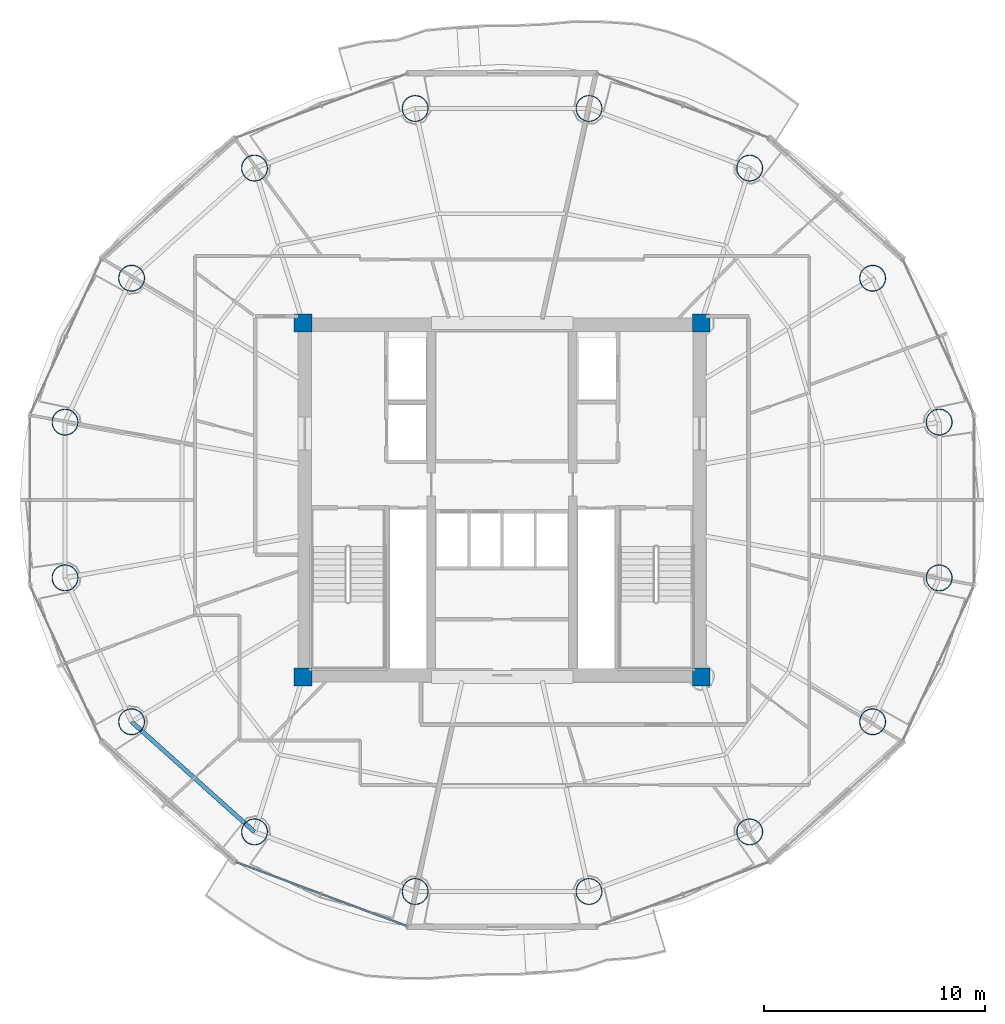
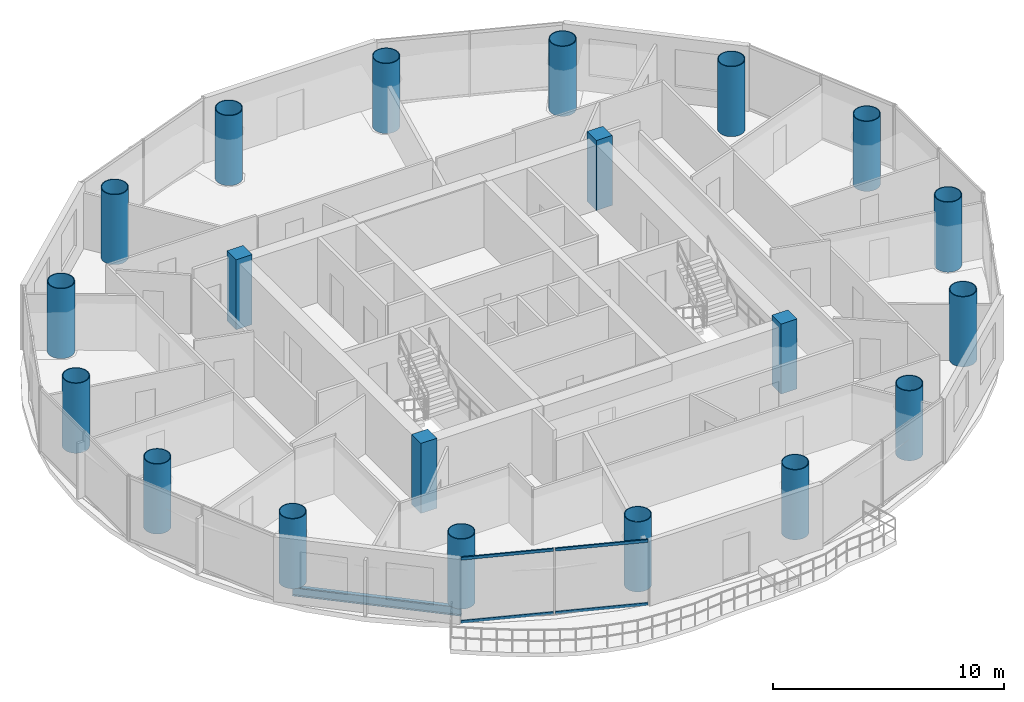
# One storey, part 1 of 26: 20 columns, 4 members, 1 beam, 1 element without a shape of its own.
"""IFC4 building model written with IfcOpenShell, lengths in metres."""

import ifcopenshell
import ifcopenshell.guid

model = None  # the IFC model being written
_history = None  # IfcOwnerHistory: only IFC2X3 demands one
_inside = {}  # id of a spatial element -> (the spatial element, [elements in it])
_under = {}  # id of a project, library or spatial element -> (it, [spatial elements below it])
_declared = {}  # id of a project -> (the project, [libraries it declares])
_typed = {}  # id of a type object -> (the type object, [elements of that type])
_made_of = {}  # id of a material, layer set ... -> (it, [elements and type objects made of it])


def new_model(schema):
    """Start an empty IFC model of exactly this schema.

    Asked for "IFC4X3", IfcOpenShell would pick the latest addendum, in which some entities
    have other attributes; the version numbers below select the first issue.
    IFC2X3 requires an IfcOwnerHistory on every rooted entity: one is made here for all.
    """
    global model, _history
    if schema == "IFC4X3":
        model = ifcopenshell.file(schema_version=(4, 3, 0, 0))
    else:
        model = ifcopenshell.file(schema=schema)
    _inside.clear()
    _under.clear()
    _declared.clear()
    _typed.clear()
    _made_of.clear()
    _history = None
    if model.schema == "IFC2X3":
        org = make("IfcOrganization", Name="unknown")
        user = make(
            "IfcPersonAndOrganization",
            ThePerson=make("IfcPerson", FamilyName="unknown"),
            TheOrganization=org,
        )
        app = make(
            "IfcApplication",
            ApplicationDeveloper=org,
            Version="unknown",
            ApplicationFullName="unknown",
            ApplicationIdentifier="unknown",
        )
        _history = make(
            "IfcOwnerHistory",
            OwningUser=user,
            OwningApplication=app,
            ChangeAction="ADDED",
            CreationDate=0,
        )
    return model


def make(cls, **values):
    """One entity of the class cls with the attributes given. An attribute that is None is left unset."""
    return model.create_entity(
        cls, **{name: value for name, value in values.items() if value is not None}
    )


def rooted(cls, **values):
    """An entity with a GlobalId (a new one), such as an element, a storey or a relation."""
    return make(cls, GlobalId=ifcopenshell.guid.new(), OwnerHistory=_history, **values)


def si_unit(unit_type, name, prefix=None):
    """IfcSIUnit, for example si_unit("LENGTHUNIT", "METRE", prefix="MILLI")."""
    return make("IfcSIUnit", UnitType=unit_type, Prefix=prefix, Name=name)


def assignment(units):
    """IfcUnitAssignment: the units of a project."""
    return None if units is None else make("IfcUnitAssignment", Units=units)


def point(xyz):
    """IfcCartesianPoint."""
    return None if xyz is None else make("IfcCartesianPoint", Coordinates=xyz)


def direction(xyz):
    """IfcDirection."""
    return None if xyz is None else make("IfcDirection", DirectionRatios=xyz)


def frame(location, z_axis=None, x_axis=None):
    """IfcAxis2Placement3D, a coordinate frame: its origin and axes. An axis left out is left unset."""
    return make(
        "IfcAxis2Placement3D",
        Location=point(location),
        Axis=direction(z_axis),
        RefDirection=direction(x_axis),
    )


def frame_2d(location, x_axis=None):
    """IfcAxis2Placement2D, a coordinate frame in the plane: its origin and x axis."""
    return make(
        "IfcAxis2Placement2D", Location=point(location), RefDirection=direction(x_axis)
    )


def origin():
    """The frame at (0, 0, 0) with its axes left unset."""
    return frame((0.0, 0.0, 0.0))


def origin_2d():
    """The frame at (0, 0) in the plane with its x axis left unset."""
    return frame_2d((0.0, 0.0))


def place(relative_to, where):
    """IfcLocalPlacement: puts the frame where relative to a parent placement (None: the world)."""
    return make(
        "IfcLocalPlacement", PlacementRelTo=relative_to, RelativePlacement=where
    )


def context(
    kind, dimensions, precision=None, world=None, true_north=None, identifier=None
):
    """IfcGeometricRepresentationContext, for example the 3D "Model" context."""
    return make(
        "IfcGeometricRepresentationContext",
        ContextIdentifier=identifier,
        ContextType=kind,
        CoordinateSpaceDimension=dimensions,
        Precision=precision,
        WorldCoordinateSystem=world,
        TrueNorth=true_north,
    )


def subcontext(parent, identifier, kind, view, scale=None):
    """IfcGeometricRepresentationSubContext, for example "Body" below "Model"."""
    return make(
        "IfcGeometricRepresentationSubContext",
        ContextIdentifier=identifier,
        ContextType=kind,
        ParentContext=parent,
        TargetScale=scale,
        TargetView=view,
    )


def project(units=None, contexts=None):
    """IfcProject with its units and contexts."""
    return rooted(
        "IfcProject",
        Name="project",
        RepresentationContexts=contexts,
        UnitsInContext=assignment(units),
    )


def spatial(cls, under=None, at=None, **own):
    """A site, building, storey or space (cls), placed at a placement, below another one or the project."""
    s = rooted(cls, ObjectPlacement=at, **own)
    if under is not None:
        _under.setdefault(under.id(), (under, []))[1].append(s)
    return s


def profile(cls, at=None, kind="AREA", **sizes):
    """A parametric profile (cls). Its sizes go by their IFC names, for example OverallWidth=200.0."""
    return make(cls, ProfileType=kind, Position=at, **sizes)


def rectangle(**sizes):
    """IfcRectangleProfileDef."""
    return profile("IfcRectangleProfileDef", **sizes)


def hollow_rectangle(**sizes):
    """IfcRectangleHollowProfileDef."""
    return profile("IfcRectangleHollowProfileDef", **sizes)


def hollow_circle(**sizes):
    """IfcCircleHollowProfileDef."""
    return profile("IfcCircleHollowProfileDef", **sizes)


def i_section(**sizes):
    """IfcIShapeProfileDef."""
    return profile("IfcIShapeProfileDef", **sizes)


def extrude(swept, where, along, depth):
    """IfcExtrudedAreaSolid: the profile swept, set in the frame where, extruded along a direction by depth."""
    return make(
        "IfcExtrudedAreaSolid",
        SweptArea=swept,
        Position=where,
        ExtrudedDirection=direction(along),
        Depth=depth,
    )


def shape(context_of_items, identifier, shape_type, items):
    """IfcShapeRepresentation: the items that make up one representation, for example the "Body"."""
    return make(
        "IfcShapeRepresentation",
        ContextOfItems=context_of_items,
        RepresentationIdentifier=identifier,
        RepresentationType=shape_type,
        Items=items,
    )


def source(mapping_origin, context_of_items, identifier, shape_type, items):
    """IfcRepresentationMap: a shape defined once, which mapped items show again and again."""
    return make(
        "IfcRepresentationMap",
        MappingOrigin=mapping_origin,
        MappedRepresentation=shape(context_of_items, identifier, shape_type, items),
    )


def transform(
    local_origin,
    x_axis=None,
    y_axis=None,
    z_axis=None,
    scale=None,
    scale2=None,
    scale3=None,
    uniform=True,
):
    """IfcCartesianTransformationOperator3D, or its non-uniform kind. x_axis, y_axis, z_axis: its Axis1, 2, 3."""
    if uniform:
        return make(
            "IfcCartesianTransformationOperator3D",
            Axis1=direction(x_axis),
            Axis2=direction(y_axis),
            LocalOrigin=point(local_origin),
            Scale=scale,
            Axis3=direction(z_axis),
        )
    return make(
        "IfcCartesianTransformationOperator3DnonUniform",
        Axis1=direction(x_axis),
        Axis2=direction(y_axis),
        LocalOrigin=point(local_origin),
        Scale=scale,
        Axis3=direction(z_axis),
        Scale2=scale2,
        Scale3=scale3,
    )


def mapped(mapping_source, mapping_target):
    """IfcMappedItem: shows the shape of a source again, moved by a transform."""
    return make(
        "IfcMappedItem", MappingSource=mapping_source, MappingTarget=mapping_target
    )


def material(Name=None, Category=None):
    """IfcMaterial."""
    return make("IfcMaterial", Name=Name, Category=Category)


def material_profile(
    of_material, cross_section, Name=None, Category=None, Priority=None
):
    """IfcMaterialProfile: a cross section and its material."""
    return make(
        "IfcMaterialProfile",
        Name=Name,
        Material=of_material,
        Profile=cross_section,
        Priority=Priority,
        Category=Category,
    )


def profile_set(profiles, Name=None, composite=None):
    """IfcMaterialProfileSet."""
    return make(
        "IfcMaterialProfileSet",
        Name=Name,
        MaterialProfiles=profiles,
        CompositeProfile=composite,
    )


def made_of(thing, what):
    """Note that an element or type object is made of a material, layer set ...; save() writes the relation."""
    if what is not None:
        _made_of.setdefault(what.id(), (what, []))[1].append(thing)
    return thing


def type_object(cls, material=None, **own):
    """A type object (cls), such as IfcWallType, which elements share."""
    return made_of(rooted(cls, **own), material)


def element(
    cls,
    number,
    at=None,
    inside=None,
    cuts=None,
    type_object=None,
    material=None,
    context=None,
    identifier="Body",
    shape_type=None,
    held_by="IfcProductDefinitionShape",
    body=None,
    shapes=None,
    **own,
):
    """One element of the class cls, such as IfcWall. Its Tag is "e" and its number.

    at: its placement. inside: the storey or other place that contains it. cuts: it is an
    opening in that element (IfcRelVoidsElement). A single representation is given by context,
    identifier, shape_type and body (its items); several are given by shapes. held_by: the class
    of the entity that holds the representations. save() writes the other relations.
    """
    e = rooted(cls, Tag="e%d" % number, ObjectPlacement=at, **own)
    if body is not None:
        shapes = [shape(context, identifier, shape_type, body)]
    if shapes is not None:
        e.Representation = make(held_by, Representations=shapes)
    if inside is not None:
        _inside.setdefault(inside.id(), (inside, []))[1].append(e)
    if cuts is not None:
        rooted(
            "IfcRelVoidsElement", RelatingBuildingElement=cuts, RelatedOpeningElement=e
        )
    if type_object is not None:
        _typed.setdefault(type_object.id(), (type_object, []))[1].append(e)
    return made_of(e, material)


def aggregate(whole, parts):
    """IfcRelAggregates: a whole, such as a stair, and the parts it consists of."""
    return rooted("IfcRelAggregates", RelatingObject=whole, RelatedObjects=parts)


def save(model, path):
    """Write the relations noted so far, then the file.

    IfcRelAggregates (storeys below a building ...), IfcRelContainedInSpatialStructure (elements
    in a storey), IfcRelDefinesByType, IfcRelAssociatesMaterial and IfcRelDeclares: one each for
    every whole, place, type object, material and project.
    """
    for whole, parts in _under.values():
        aggregate(whole, parts)
    for where, things in _inside.values():
        rooted(
            "IfcRelContainedInSpatialStructure",
            RelatedElements=things,
            RelatingStructure=where,
        )
    for kind, things in _typed.values():
        rooted("IfcRelDefinesByType", RelatedObjects=things, RelatingType=kind)
    for what, things in _made_of.values():
        rooted("IfcRelAssociatesMaterial", RelatedObjects=things, RelatingMaterial=what)
    for by, libraries in _declared.values():
        rooted("IfcRelDeclares", RelatingContext=by, RelatedDefinitions=libraries)
    model.write(path)


model = new_model("IFC4")

# Units and contexts
model_context = context("Model", 3, precision=1e-05, world=origin(), true_north=direction((-0.2419218956, 0.970295726276)))
body_context = subcontext(model_context, "Body", "Model", "MODEL_VIEW")
ifc_project = project(units=[si_unit("LENGTHUNIT", "METRE"), si_unit("AREAUNIT", "SQUARE_METRE"), si_unit("VOLUMEUNIT", "CUBIC_METRE"), si_unit("PLANEANGLEUNIT", "RADIAN"), si_unit("MASSUNIT", "GRAM", prefix="KILO")], contexts=[model_context])

# Site, building, storey
site_placement = place(None, origin())
site = spatial("IfcSite", under=ifc_project, at=site_placement, CompositionType="ELEMENT")
building_placement = place(site_placement, origin())
building = spatial("IfcBuilding", under=site, at=building_placement, Name="Cobrevalo Terracotta Tower", CompositionType="ELEMENT")
storey_placement = place(building_placement, frame((0.0, 0.0, 228.199951171875)))
storey = spatial("IfcBuildingStorey", under=building, at=storey_placement, Name="L60", CompositionType="ELEMENT", Elevation=228.199951171875)

# Columns
ifc_material_1 = material(Name="Steel S355", Category="steel")
ifc_material_profile_1 = material_profile(ifc_material_1, hollow_circle(Radius=0.60009765625, WallThickness=0.0380859375, at=origin_2d()), Name="CHS 1200x38")
ifc_profile_set_1 = profile_set([ifc_material_profile_1], Name="Steel S355")
column_type_1 = type_object("IfcColumnType", Name="Structural Column CHS 1200x38 (Steel S355)", PredefinedType="COLUMN", material=ifc_profile_set_1)
for number, where, z_axis, x_axis, name in (
    (1, (57.762939453125, 30.3212890625, 0.0), (0.0, 0.0, 1.0), (1.0, 0.0, 0.0), "L60 composite megacolumn MC01"),
    (2, (54.754150390625, 36.828125, 0.0), (0.0, 0.0, 1.0), (1.0, 0.0, 0.0), "L60 composite megacolumn MC02"),
    (3, (49.19482421875, 41.80810546875, 0.0), (0.0, 0.0, 1.0), (1.0, 0.0, 0.0), "L60 composite megacolumn MC03"),
    (4, (41.93115234375, 44.503173828125, 0.0), (0.0, 0.0, 1.0), (1.0, 0.0, 0.0), "L60 composite megacolumn MC04"),
    (5, (34.06884765625, 44.503173828125, 0.0), (0.0, 0.0, 1.0), (1.0, 0.0, 0.0), "L60 composite megacolumn MC05"),
    (6, (26.80517578125, 41.80810546875, 0.0), (0.0, 0.0, 1.0), (1.0, 0.0, 0.0), "L60 composite megacolumn MC06"),
    (7, (21.245849609375, 36.828125, 0.0), (0.0, 0.0, 1.0), (1.0, 0.0, 0.0), "L60 composite megacolumn MC07"),
    (8, (18.237060546875, 30.3212890625, 0.0), (0.0, 0.0, 1.0), (1.0, 0.0, 0.0), "L60 composite megacolumn MC08"),
    (9, (18.237060546875, 23.278564453125, 0.0), (0.0, 0.0, 1.0), (1.0, 0.0, 0.0), "L60 composite megacolumn MC09"),
    (10, (21.245849609375, 16.77197265625, 0.0), (0.0, 0.0, 1.0), (1.0, 0.0, 0.0), "L60 composite megacolumn MC10"),
    (11, (26.80517578125, 11.7919921875, 0.0), (0.0, 0.0, 1.0), (1.0, 0.0, 0.0), "L60 composite megacolumn MC11"),
    (12, (34.06884765625, 9.096923828125, 0.0), (0.0, 0.0, 1.0), (1.0, 0.0, 0.0), "L60 composite megacolumn MC12"),
    (13, (41.93115234375, 9.096923828125, 0.0), (0.0, 0.0, 1.0), (1.0, 0.0, 0.0), "L60 composite megacolumn MC13"),
    (14, (49.19482421875, 11.7919921875, 0.0), (0.0, 0.0, 1.0), (1.0, 0.0, 0.0), "L60 composite megacolumn MC14"),
    (15, (54.754150390625, 16.77197265625, 0.0), (0.0, 0.0, 1.0), (1.0, 0.0, 0.0), "L60 composite megacolumn MC15"),
    (16, (57.762939453125, 23.278564453125, 0.0), (0.0, 0.0, 1.0), (1.0, 0.0, 0.0), "L60 composite megacolumn MC16"),
):
    element("IfcColumn", number, at=place(storey_placement, frame(where, z_axis=z_axis, x_axis=x_axis)), inside=storey, type_object=column_type_1, Name=name, PredefinedType="COLUMN", context=body_context, shape_type="SweptSolid", body=[
        extrude(hollow_circle(Radius=0.60009765625, WallThickness=0.0380859375, at=origin_2d()), origin(), (0.0, 0.0, 1.0), 3.699951171875),
    ])
ifc_material_2 = material(Name="Concrete C50", Category="concrete")
ifc_material_profile_2 = material_profile(ifc_material_2, rectangle(XDim=0.800048828125, YDim=0.800048828125, at=origin_2d()), Name="RC COL 800x800")
ifc_profile_set_2 = profile_set([ifc_material_profile_2], Name="Concrete C50")
column_type_2 = type_object("IfcColumnType", Name="Structural Column RC COL 800x800 (Concrete C50)", PredefinedType="COLUMN", material=ifc_profile_set_2)
for number, where, z_axis, x_axis, name in (
    (17, (29.0, 18.800048828125, 0.0), (0.0, 0.0, 1.0), (1.0, 0.0, 0.0), "L60 core corner column CC1"),
    (18, (47.0, 18.800048828125, 0.0), (0.0, 0.0, 1.0), (1.0, 0.0, 0.0), "L60 core corner column CC2"),
    (19, (47.0, 34.800048828125, 0.0), (0.0, 0.0, 1.0), (1.0, 0.0, 0.0), "L60 core corner column CC3"),
    (20, (29.0, 34.800048828125, 0.0), (0.0, 0.0, 1.0), (1.0, 0.0, 0.0), "L60 core corner column CC4"),
):
    element("IfcColumn", number, at=place(storey_placement, frame(where, z_axis=z_axis, x_axis=x_axis)), inside=storey, type_object=column_type_2, Name=name, PredefinedType="COLUMN", context=body_context, shape_type="SweptSolid", body=[
        extrude(rectangle(XDim=0.800048828125, YDim=0.800048828125, at=origin_2d()), origin(), (0.0, 0.0, 1.0), 3.699951171875),
    ])

# Beam
ifc_material_profile_3 = material_profile(ifc_material_1, i_section(OverallWidth=0.194091796875, OverallDepth=0.468994140625, WebThickness=0.011474609375, FlangeThickness=0.0205078125, at=origin_2d()), Name="W 460x106")
ifc_profile_set_3 = profile_set([ifc_material_profile_3], Name="Steel S355")
beam_type = type_object("IfcBeamType", Name="Structural Spandrel W 460x106 (Steel S355)", PredefinedType="SPANDREL", material=ifc_profile_set_3)
beam_placement = place(storey_placement, frame((21.245849609375, 16.77197265625, -0.49951171875), z_axis=(0.744851930997, -0.667229796165, 0.0), x_axis=(0.667229796165, 0.744851930997, 0.0)))
element("IfcBeam", 21, at=beam_placement, inside=storey, type_object=beam_type, Name="L60 perimeter ring spandrel 10", PredefinedType="SPANDREL", context=body_context, shape_type="SweptSolid", body=[
    extrude(i_section(OverallWidth=0.194091796875, OverallDepth=0.468994140625, WebThickness=0.011474609375, FlangeThickness=0.0205078125, at=origin_2d()), origin(), (0.0, 0.0, 1.0), 7.463623046875),
])

# Curtain wall, members
ifc_material_3 = material(Name="Anodized aluminium", Category="aluminium")
curtain_wall_type = type_object("IfcCurtainWallType", Name="Mid-tower high-wind unitised curtain wall CW-U2", PredefinedType="NOTDEFINED", material=ifc_material_3)
curtain_wall_placement = place(storey_placement, origin())
curtain_wall = element("IfcCurtainWall", 22, at=curtain_wall_placement, inside=storey, type_object=curtain_wall_type, Name="L60 curtain wall CW-L60-S11", PredefinedType="NOTDEFINED")
ifc_material_profile_4 = material_profile(ifc_material_3, hollow_rectangle(XDim=0.074951171875, YDim=0.14990234375, WallThickness=0.00439453125, at=origin_2d()), Name="CWT 75x150")
ifc_profile_set_4 = profile_set([ifc_material_profile_4], Name="Anodized aluminium")
member_type = type_object("IfcMemberType", Name="Tower unitised aluminium transom 75x150", PredefinedType="USERDEFINED", material=ifc_profile_set_4)
shared_shape_1 = source(origin(), body_context, "Body", "SweptSolid", [
    extrude(hollow_rectangle(XDim=0.074951171875, YDim=0.14990234375, WallThickness=0.00439453125, at=origin_2d()), origin(), (0.0, 0.0, 1.0), 4.069580078125),
])
member_1_placement = place(storey_placement, frame((25.980224609375, 10.4169921875, 0.050048828125), z_axis=(0.936548420649, -0.350538237259, 0.0), x_axis=(0.350538237259, 0.936548420649, 0.0)))
member_1 = element("IfcMember", 23, at=member_1_placement, type_object=member_type, Name="CW-L60-S11 transom B01-T1", ObjectType="TRANSOM", PredefinedType="USERDEFINED", context=body_context, shape_type="MappedRepresentation", body=[
    mapped(shared_shape_1, transform((0.0, 0.0, 0.0), scale=1.0)),
])
member_2_placement = place(storey_placement, frame((25.980224609375, 10.4169921875, 3.385009765625), z_axis=(0.936548420649, -0.350538237259, 0.0), x_axis=(0.350538237259, 0.936548420649, 0.0)))
member_2 = element("IfcMember", 24, at=member_2_placement, type_object=member_type, Name="CW-L60-S11 transom B01-T2", ObjectType="TRANSOM", PredefinedType="USERDEFINED", context=body_context, shape_type="MappedRepresentation", body=[
    mapped(shared_shape_1, transform((0.0, 0.0, 0.0), scale=1.0)),
])
shared_shape_2 = source(origin(), body_context, "Body", "SweptSolid", [
    extrude(hollow_rectangle(XDim=0.074951171875, YDim=0.14990234375, WallThickness=0.00439453125, at=origin_2d()), origin(), (0.0, 0.0, 1.0), 4.06982421875),
])
member_3_placement = place(storey_placement, frame((29.866455078125, 8.96240234375, 0.050048828125), z_axis=(0.936555791772, -0.350518542873, 0.0), x_axis=(0.350518542873, 0.936555791772, 0.0)))
member_3 = element("IfcMember", 25, at=member_3_placement, type_object=member_type, Name="CW-L60-S11 transom B02-T1", ObjectType="TRANSOM", PredefinedType="USERDEFINED", context=body_context, shape_type="MappedRepresentation", body=[
    mapped(shared_shape_2, transform((0.0, 0.0, 0.0), scale=1.0)),
])
member_4_placement = place(storey_placement, frame((29.866455078125, 8.96240234375, 3.385009765625), z_axis=(0.936555791772, -0.350518542873, 0.0), x_axis=(0.350518542873, 0.936555791772, 0.0)))
member_4 = element("IfcMember", 26, at=member_4_placement, type_object=member_type, Name="CW-L60-S11 transom B02-T2", ObjectType="TRANSOM", PredefinedType="USERDEFINED", context=body_context, shape_type="MappedRepresentation", body=[
    mapped(shared_shape_2, transform((0.0, 0.0, 0.0), scale=1.0)),
])
aggregate(curtain_wall, [member_1, member_2, member_3, member_4])

save(model, "model.ifc")
